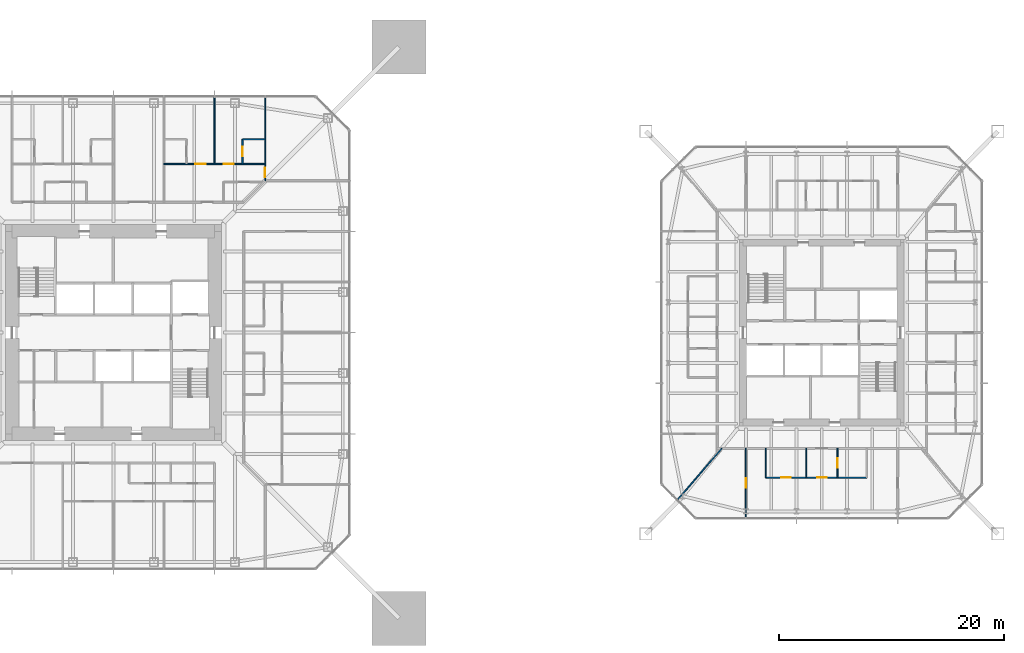
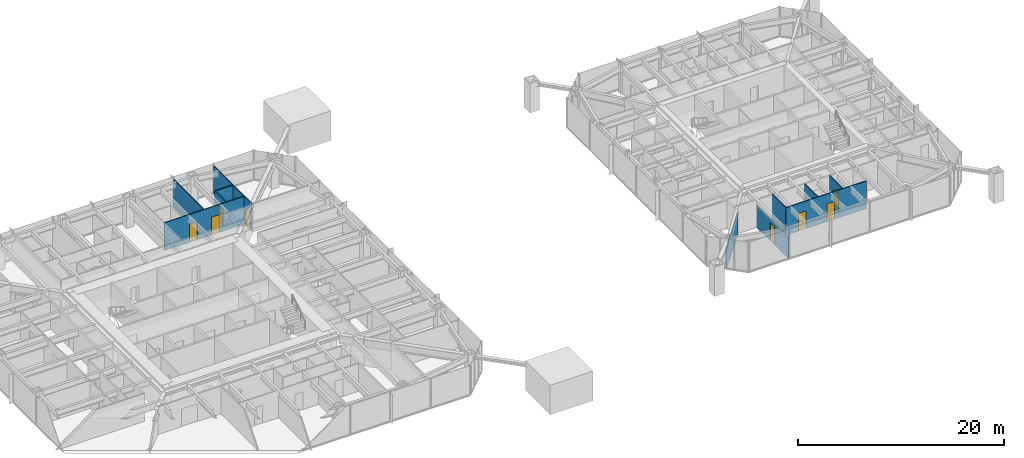
# One storey, part 16 of 25: 11 walls, 8 doors, 8 openings.
"""IFC4 building model written with IfcOpenShell, lengths in metres."""

from ifc_helpers import new_model, si_unit, direction, frame, frame_2d, origin, place, context, subcontext, project, spatial, rectangle, extrude, material, layer, layer_set, type_object, element, fill, save


model = new_model("IFC4")

# Units and contexts
model_context = context("Model", 3, precision=1e-05, world=origin(), true_north=direction((0.0, 1.0)))
body_context = subcontext(model_context, "Body", "Model", "MODEL_VIEW")
ifc_project = project(units=[si_unit("LENGTHUNIT", "METRE"), si_unit("AREAUNIT", "SQUARE_METRE"), si_unit("VOLUMEUNIT", "CUBIC_METRE"), si_unit("PLANEANGLEUNIT", "RADIAN"), si_unit("MASSUNIT", "GRAM", prefix="KILO")], contexts=[model_context])

# Site, building, storey
site_placement = place(None, origin())
site = spatial("IfcSite", under=ifc_project, at=site_placement, CompositionType="ELEMENT")
building_placement = place(site_placement, origin())
building = spatial("IfcBuilding", under=site, at=building_placement, Name="Iwan Alto Co-Living Towers", CompositionType="ELEMENT")
storey_placement = place(building_placement, frame((0.0, 0.0, 105.0)))
storey = spatial("IfcBuildingStorey", under=building, at=storey_placement, Name="L28", CompositionType="ELEMENT", Elevation=105.0)

# Wall, openings, doors
ifc_material_1 = material(Name="Gypsum board")
ifc_layer_1 = layer(ifc_material_1, 0.012451171875, Name="Board", Category="Finish")
ifc_material_2 = material(Name="Steel ASTM A1003 ST33H cold-formed studs", Category="steel")
ifc_layer_2 = layer(ifc_material_2, 0.074951171875, Name="Studs", Category="Framing")
ifc_layer_3 = layer(ifc_material_1, 0.012451171875, Name="Board", Category="Finish")
ifc_layer_set_1 = layer_set([ifc_layer_1, ifc_layer_2, ifc_layer_3], Name="PARTITION 100")
wall_type_1 = type_object("IfcWallType", Name="PARTITION 100", PredefinedType="PARTITIONING", material=ifc_layer_set_1)
wall_1_placement = place(storey_placement, frame((58.0, -12.89990234375, 0.0), z_axis=(0.0, 0.0, 1.0), x_axis=(1.0, 0.0, 0.0)))
wall_1 = element("IfcWall", 1, at=wall_1_placement, inside=storey, type_object=wall_type_1, Name="Partition L28", PredefinedType="PARTITIONING", context=body_context, shape_type="SweptSolid", body=[
    extrude(rectangle(XDim=9.0, YDim=0.10009765625, at=frame_2d((4.5, 0.0))), origin(), (0.0, 0.0, 1.0), 3.27001953125),
])
opening_1_placement = place(wall_1_placement, frame((1.375, 0.0, 0.0)))
opening_1 = element("IfcOpeningElement", 2, at=opening_1_placement, cuts=wall_1, Name="Opening D2", PredefinedType="OPENING", context=body_context, shape_type="SweptSolid", body=[
    extrude(rectangle(XDim=0.85009765625, YDim=2.10009765625, at=frame_2d((0.425048828125, 1.050048828125))), frame((0.0, 0.06005859375, 0.0), z_axis=(0.0, -1.0, 0.0), x_axis=(1.0, 0.0, 0.0)), (0.0, 0.0, 1.0), 0.1201171875),
])
opening_2_placement = place(wall_1_placement, frame((4.574951171875, 0.0, 0.0)))
opening_2 = element("IfcOpeningElement", 3, at=opening_2_placement, cuts=wall_1, Name="Opening D2", PredefinedType="OPENING", context=body_context, shape_type="SweptSolid", body=[
    extrude(rectangle(XDim=0.85009765625, YDim=2.10009765625, at=frame_2d((0.425048828125, 1.050048828125))), frame((0.0, 0.06005859375, 0.0), z_axis=(0.0, -1.0, 0.0), x_axis=(1.0, 0.0, 0.0)), (0.0, 0.0, 1.0), 0.1201171875),
])
ifc_material_3 = material(Name="Timber leaf in steel frame", Category="steel")
door_type_1 = type_object("IfcDoorType", Name="ROOM DOOR 850X2100", OperationType="SINGLE_SWING_LEFT", PredefinedType="DOOR", material=ifc_material_3)
door_1_placement = place(opening_1_placement, frame((0.85009765625, 0.0, 0.0), z_axis=(0.0, 0.0, 1.0), x_axis=(-1.0, 0.0, 0.0)))
door_1 = element("IfcDoor", 4, at=door_1_placement, inside=storey, type_object=door_type_1, Name="Kitchen door L28", OperationType="SINGLE_SWING_RIGHT", OverallHeight=2.10009765625, OverallWidth=0.85009765625, PredefinedType="DOOR", context=body_context, shape_type="SweptSolid", body=[
    extrude(rectangle(XDim=0.85009765625, YDim=2.10009765625, at=frame_2d((0.425048828125, 1.050048828125))), frame((0.0, 0.02490234375, 0.0), z_axis=(0.0, -1.0, 0.0), x_axis=(1.0, 0.0, 0.0)), (0.0, 0.0, 1.0), 0.050048828125),
])
fill(opening_1, door_1)
door_2_placement = place(opening_2_placement, frame((0.85009765625, 0.0, 0.0), z_axis=(0.0, 0.0, 1.0), x_axis=(-1.0, 0.0, 0.0)))
door_2 = element("IfcDoor", 5, at=door_2_placement, inside=storey, type_object=door_type_1, Name="Apartment foyer door L28", OperationType="SINGLE_SWING_RIGHT", OverallHeight=2.10009765625, OverallWidth=0.85009765625, PredefinedType="DOOR", context=body_context, shape_type="SweptSolid", body=[
    extrude(rectangle(XDim=0.85009765625, YDim=2.10009765625, at=frame_2d((0.425048828125, 1.050048828125))), frame((0.0, 0.02490234375, 0.0), z_axis=(0.0, -1.0, 0.0), x_axis=(1.0, 0.0, 0.0)), (0.0, 0.0, 1.0), 0.050048828125),
])
fill(opening_2, door_2)

wall_2_placement = place(storey_placement, frame((4.5, 15.0, 0.0), z_axis=(0.0, 0.0, 1.0), x_axis=(1.0, 0.0, 0.0)))
wall_2 = element("IfcWall", 6, at=wall_2_placement, inside=storey, type_object=wall_type_1, Name="Partition L28", PredefinedType="PARTITIONING", context=body_context, shape_type="SweptSolid", body=[
    extrude(rectangle(XDim=9.0, YDim=0.10009765625, at=frame_2d((4.5, 0.0))), origin(), (0.0, 0.0, 1.0), 3.27001953125),
])
opening_3_placement = place(wall_2_placement, frame((5.300048828125, 0.0, 0.0)))
opening_3 = element("IfcOpeningElement", 7, at=opening_3_placement, cuts=wall_2, Name="Opening D1", PredefinedType="OPENING", context=body_context, shape_type="SweptSolid", body=[
    extrude(rectangle(XDim=0.89990234375, YDim=2.10009765625, at=frame_2d((0.449951171875, 1.050048828125))), frame((0.0, 0.06005859375, 0.0), z_axis=(0.0, -1.0, 0.0), x_axis=(1.0, 0.0, 0.0)), (0.0, 0.0, 1.0), 0.1201171875),
])
opening_4_placement = place(wall_2_placement, frame((2.800048828125, 0.0, 0.0)))
opening_4 = element("IfcOpeningElement", 8, at=opening_4_placement, cuts=wall_2, Name="Opening D1", PredefinedType="OPENING", context=body_context, shape_type="SweptSolid", body=[
    extrude(rectangle(XDim=0.89990234375, YDim=2.10009765625, at=frame_2d((0.449951171875, 1.050048828125))), frame((0.0, 0.06005859375, 0.0), z_axis=(0.0, -1.0, 0.0), x_axis=(1.0, 0.0, 0.0)), (0.0, 0.0, 1.0), 0.1201171875),
])
ifc_material_4 = material(Name="Timber leaf in steel frame", Category="steel")
door_type_2 = type_object("IfcDoorType", Name="BEDROOM DOOR 900X2100", OperationType="SINGLE_SWING_LEFT", PredefinedType="DOOR", material=ifc_material_4)
door_3_placement = place(opening_3_placement, frame((0.89990234375, 0.0, 0.0), z_axis=(0.0, 0.0, 1.0), x_axis=(-1.0, 0.0, 0.0)))
door_3 = element("IfcDoor", 9, at=door_3_placement, inside=storey, type_object=door_type_2, Name="Study bedroom door L28", OperationType="SINGLE_SWING_LEFT", OverallHeight=2.10009765625, OverallWidth=0.89990234375, PredefinedType="DOOR", context=body_context, shape_type="SweptSolid", body=[
    extrude(rectangle(XDim=0.89990234375, YDim=2.10009765625, at=frame_2d((0.449951171875, 1.050048828125))), frame((0.0, 0.02490234375, 0.0), z_axis=(0.0, -1.0, 0.0), x_axis=(1.0, 0.0, 0.0)), (0.0, 0.0, 1.0), 0.050048828125),
])
fill(opening_3, door_3)
door_4_placement = place(opening_4_placement, frame((0.89990234375, 0.0, 0.0), z_axis=(0.0, 0.0, 1.0), x_axis=(-1.0, 0.0, 0.0)))
door_4 = element("IfcDoor", 10, at=door_4_placement, inside=storey, type_object=door_type_2, Name="Study bedroom door L28", OperationType="SINGLE_SWING_RIGHT", OverallHeight=2.10009765625, OverallWidth=0.89990234375, PredefinedType="DOOR", context=body_context, shape_type="SweptSolid", body=[
    extrude(rectangle(XDim=0.89990234375, YDim=2.10009765625, at=frame_2d((0.449951171875, 1.050048828125))), frame((0.0, 0.02490234375, 0.0), z_axis=(0.0, -1.0, 0.0), x_axis=(1.0, 0.0, 0.0)), (0.0, 0.0, 1.0), 0.050048828125),
])
fill(opening_4, door_4)

# Walls
wall_3_placement = place(storey_placement, frame((50.179931640625, -14.844970703125, 0.0), z_axis=(0.0, 0.0, 1.0), x_axis=(0.653585997703, 0.756852260092, 0.0)))
element("IfcWall", 11, at=wall_3_placement, inside=storey, type_object=wall_type_1, Name="Partition L28", PredefinedType="PARTITIONING", context=body_context, shape_type="SweptSolid", body=[
    extrude(rectangle(XDim=6.005126953125, YDim=0.10009765625, at=frame_2d((3.00244140625, 0.0))), origin(), (0.0, 0.0, 1.0), 2.42919921875),
])
for number, where, z_axis, x_axis, name in (
    (12, (61.60009765625, -12.89990234375, 0.0), (0.0, 0.0, 1.0), (0.0, 1.0, 0.0), "Partition L28"),
    (13, (58.0, -12.89990234375, 0.0), (0.0, 0.0, 1.0), (0.0, 1.0, 0.0), "Partition L28"),
):
    element("IfcWall", number, at=place(storey_placement, frame(where, z_axis=z_axis, x_axis=x_axis)), inside=storey, type_object=wall_type_1, Name=name, PredefinedType="PARTITIONING", context=body_context, shape_type="SweptSolid", body=[
        extrude(rectangle(XDim=2.599853515625, YDim=0.10009765625, at=frame_2d((1.2998046875, 0.0))), origin(), (0.0, 0.0, 1.0), 3.27001953125),
    ])

# Wall, opening, door
wall_4_placement = place(storey_placement, frame((56.25, -16.43994140625, 0.0), z_axis=(0.0, 0.0, 1.0), x_axis=(0.0, 1.0, 0.0)))
wall_4 = element("IfcWall", 14, at=wall_4_placement, inside=storey, type_object=wall_type_1, Name="Partition L28", PredefinedType="PARTITIONING", context=body_context, shape_type="SweptSolid", body=[
    extrude(rectangle(XDim=6.139892578125, YDim=0.10009765625, at=frame_2d((3.06982421875, 0.0))), origin(), (0.0, 0.0, 1.0), 2.586669921875),
])
opening_5_placement = place(wall_4_placement, frame((2.64501953125, 0.0, 0.0)))
opening_5 = element("IfcOpeningElement", 15, at=opening_5_placement, cuts=wall_4, Name="Opening D2", PredefinedType="OPENING", context=body_context, shape_type="SweptSolid", body=[
    extrude(rectangle(XDim=0.85009765625, YDim=2.10009765625, at=frame_2d((0.425048828125, 1.050048828125))), frame((0.0, 0.06005859375, 0.0), z_axis=(0.0, -1.0, 0.0), x_axis=(1.0, 0.0, 0.0)), (0.0, 0.0, 1.0), 0.1201171875),
])
door_5_placement = place(opening_5_placement, frame((0.85009765625, 0.0, 0.0), z_axis=(0.0, 0.0, 1.0), x_axis=(-1.0, 0.0, 0.0)))
door_5 = element("IfcDoor", 16, at=door_5_placement, inside=storey, type_object=door_type_1, Name="Bedroom door L28", OperationType="SINGLE_SWING_LEFT", OverallHeight=2.10009765625, OverallWidth=0.85009765625, PredefinedType="DOOR", context=body_context, shape_type="SweptSolid", body=[
    extrude(rectangle(XDim=0.85009765625, YDim=2.10009765625, at=frame_2d((0.425048828125, 1.050048828125))), frame((0.0, 0.02490234375, 0.0), z_axis=(0.0, -1.0, 0.0), x_axis=(1.0, 0.0, 0.0)), (0.0, 0.0, 1.0), 0.050048828125),
])
fill(opening_5, door_5)

wall_5_placement = place(storey_placement, frame((13.5, 13.5, 0.0), z_axis=(0.0, 0.0, 1.0), x_axis=(0.0, 1.0, 0.0)))
wall_5 = element("IfcWall", 17, at=wall_5_placement, inside=storey, type_object=wall_type_1, Name="Partition L28", PredefinedType="PARTITIONING", context=body_context, shape_type="SweptSolid", body=[
    extrude(rectangle(XDim=7.43994140625, YDim=0.10009765625, at=frame_2d((3.719970703125, 0.0))), origin(), (0.0, 0.0, 1.0), 3.27001953125),
])
opening_6_placement = place(wall_5_placement, frame((0.324951171875, 0.0, 0.0)))
opening_6 = element("IfcOpeningElement", 18, at=opening_6_placement, cuts=wall_5, Name="Opening D2", PredefinedType="OPENING", context=body_context, shape_type="SweptSolid", body=[
    extrude(rectangle(XDim=0.85009765625, YDim=2.10009765625, at=frame_2d((0.425048828125, 1.050048828125))), frame((0.0, 0.06005859375, 0.0), z_axis=(0.0, -1.0, 0.0), x_axis=(1.0, 0.0, 0.0)), (0.0, 0.0, 1.0), 0.1201171875),
])
door_6_placement = place(opening_6_placement, frame((0.85009765625, 0.0, 0.0), z_axis=(0.0, 0.0, 1.0), x_axis=(-1.0, 0.0, 0.0)))
door_6 = element("IfcDoor", 19, at=door_6_placement, inside=storey, type_object=door_type_1, Name="Shared kitchen and lounge door L28", OperationType="SINGLE_SWING_RIGHT", OverallHeight=2.10009765625, OverallWidth=0.85009765625, PredefinedType="DOOR", context=body_context, shape_type="SweptSolid", body=[
    extrude(rectangle(XDim=0.85009765625, YDim=2.10009765625, at=frame_2d((0.425048828125, 1.050048828125))), frame((0.0, 0.02490234375, 0.0), z_axis=(0.0, -1.0, 0.0), x_axis=(1.0, 0.0, 0.0)), (0.0, 0.0, 1.0), 0.050048828125),
])
fill(opening_6, door_6)

# Walls
wall_6_placement = place(storey_placement, frame((9.0, 15.0, 0.0), z_axis=(0.0, 0.0, 1.0), x_axis=(0.0, 1.0, 0.0)))
element("IfcWall", 20, at=wall_6_placement, inside=storey, type_object=wall_type_1, Name="Partition L28", PredefinedType="PARTITIONING", context=body_context, shape_type="SweptSolid", body=[
    extrude(rectangle(XDim=5.93994140625, YDim=0.10009765625, at=frame_2d((2.969970703125, 0.0))), origin(), (0.0, 0.0, 1.0), 3.27001953125),
])
ifc_material_5 = material(Name="Cement board")
ifc_layer_4 = layer(ifc_material_5, 0.012451171875, Name="Board", Category="Finish")
ifc_layer_5 = layer(ifc_material_2, 0.094970703125, Name="Studs", Category="Framing")
ifc_layer_6 = layer(ifc_material_5, 0.012451171875, Name="Board", Category="Finish")
ifc_layer_set_2 = layer_set([ifc_layer_4, ifc_layer_5, ifc_layer_6], Name="WET AREA PARTITION 120")
wall_type_2 = type_object("IfcWallType", Name="WET AREA PARTITION 120", PredefinedType="PARTITIONING", material=ifc_layer_set_2)
wall_7_placement = place(storey_placement, frame((11.5, 17.199951171875, 0.0), z_axis=(0.0, 0.0, 1.0), x_axis=(1.0, 0.0, 0.0)))
element("IfcWall", 21, at=wall_7_placement, inside=storey, type_object=wall_type_2, Name="Partition L28", PredefinedType="PARTITIONING", context=body_context, shape_type="SweptSolid", body=[
    extrude(rectangle(XDim=2.0, YDim=0.1201171875, at=frame_2d((1.0, 0.0))), origin(), (0.0, 0.0, 1.0), 3.27001953125),
])

# Wall, opening, door
wall_8_placement = place(storey_placement, frame((64.39990234375, -12.89990234375, 0.0), z_axis=(0.0, 0.0, 1.0), x_axis=(0.0, 1.0, 0.0)))
wall_8 = element("IfcWall", 22, at=wall_8_placement, inside=storey, type_object=wall_type_2, Name="Partition L28", PredefinedType="PARTITIONING", context=body_context, shape_type="SweptSolid", body=[
    extrude(rectangle(XDim=2.599853515625, YDim=0.1201171875, at=frame_2d((1.2998046875, 0.0))), origin(), (0.0, 0.0, 1.0), 3.27001953125),
])
opening_7_placement = place(wall_8_placement, frame((0.875, 0.0, 0.0)))
opening_7 = element("IfcOpeningElement", 23, at=opening_7_placement, cuts=wall_8, Name="Opening D2", PredefinedType="OPENING", context=body_context, shape_type="SweptSolid", body=[
    extrude(rectangle(XDim=0.85009765625, YDim=2.10009765625, at=frame_2d((0.425048828125, 1.050048828125))), frame((0.0, 0.070068359375, 0.0), z_axis=(0.0, -1.0, 0.0), x_axis=(1.0, 0.0, 0.0)), (0.0, 0.0, 1.0), 0.14013671875),
])
door_7_placement = place(opening_7_placement, frame((0.85009765625, 0.0, 0.0), z_axis=(0.0, 0.0, 1.0), x_axis=(-1.0, 0.0, 0.0)))
door_7 = element("IfcDoor", 24, at=door_7_placement, inside=storey, type_object=door_type_1, Name="Bathroom door L28", OperationType="SINGLE_SWING_RIGHT", OverallHeight=2.10009765625, OverallWidth=0.85009765625, PredefinedType="DOOR", context=body_context, shape_type="SweptSolid", body=[
    extrude(rectangle(XDim=0.85009765625, YDim=2.10009765625, at=frame_2d((0.425048828125, 1.050048828125))), frame((0.0, 0.02490234375, 0.0), z_axis=(0.0, -1.0, 0.0), x_axis=(1.0, 0.0, 0.0)), (0.0, 0.0, 1.0), 0.050048828125),
])
fill(opening_7, door_7)

wall_9_placement = place(storey_placement, frame((11.5, 15.0, 0.0), z_axis=(0.0, 0.0, 1.0), x_axis=(0.0, 1.0, 0.0)))
wall_9 = element("IfcWall", 25, at=wall_9_placement, inside=storey, type_object=wall_type_2, Name="Partition L28", PredefinedType="PARTITIONING", context=body_context, shape_type="SweptSolid", body=[
    extrude(rectangle(XDim=2.199951171875, YDim=0.1201171875, at=frame_2d((1.10009765625, 0.0))), origin(), (0.0, 0.0, 1.0), 3.27001953125),
])
opening_8_placement = place(wall_9_placement, frame((0.675048828125, 0.0, 0.0)))
opening_8 = element("IfcOpeningElement", 26, at=opening_8_placement, cuts=wall_9, Name="Opening D2", PredefinedType="OPENING", context=body_context, shape_type="SweptSolid", body=[
    extrude(rectangle(XDim=0.85009765625, YDim=2.10009765625, at=frame_2d((0.425048828125, 1.050048828125))), frame((0.0, 0.070068359375, 0.0), z_axis=(0.0, -1.0, 0.0), x_axis=(1.0, 0.0, 0.0)), (0.0, 0.0, 1.0), 0.14013671875),
])
door_8_placement = place(opening_8_placement, origin())
door_8 = element("IfcDoor", 27, at=door_8_placement, inside=storey, type_object=door_type_1, Name="En-suite shower room door L28", OperationType="SINGLE_SWING_LEFT", OverallHeight=2.10009765625, OverallWidth=0.85009765625, PredefinedType="DOOR", context=body_context, shape_type="SweptSolid", body=[
    extrude(rectangle(XDim=0.85009765625, YDim=2.10009765625, at=frame_2d((0.425048828125, 1.050048828125))), frame((0.0, 0.02490234375, 0.0), z_axis=(0.0, -1.0, 0.0), x_axis=(1.0, 0.0, 0.0)), (0.0, 0.0, 1.0), 0.050048828125),
])
fill(opening_8, door_8)

save(model, "model.ifc")
